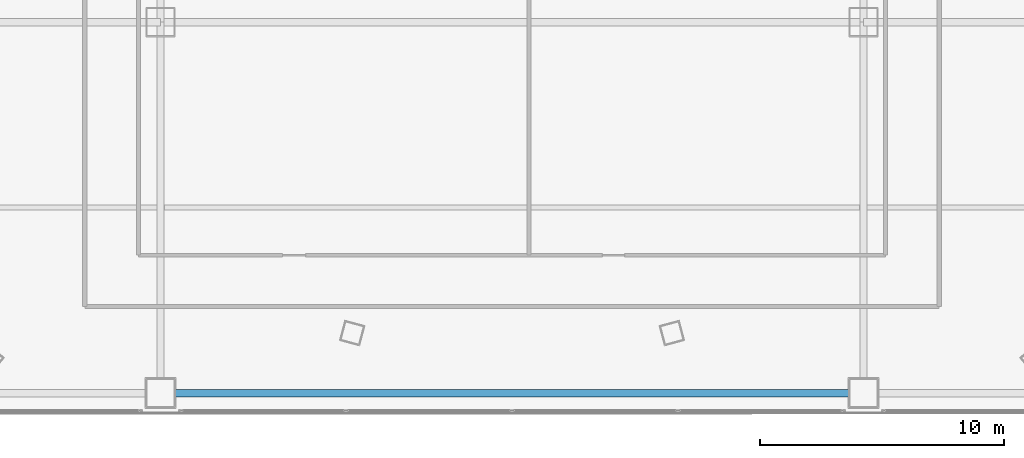
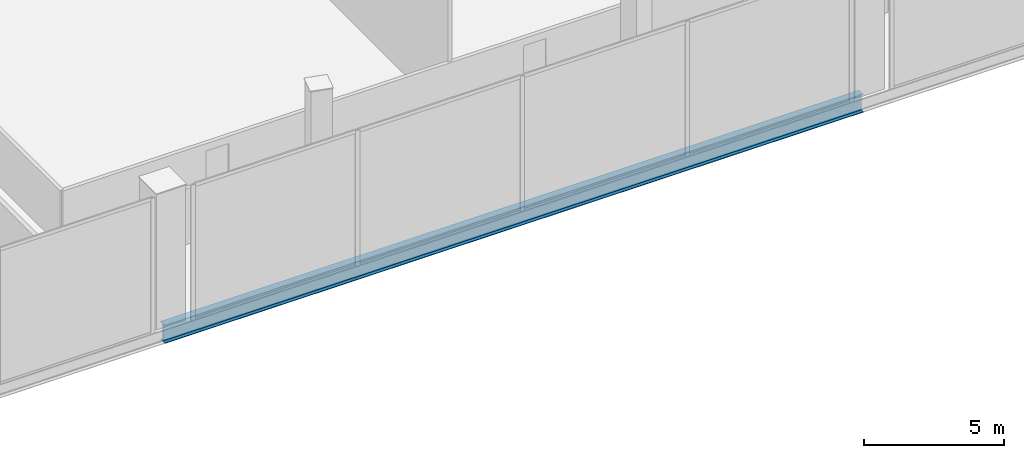
# One storey, part 8 of 41: 1 beam.
"""IFC4 building model written with IfcOpenShell, lengths in metres."""

from ifc_helpers import new_model, si_unit, direction, frame, origin, origin_2d, place, context, subcontext, project, spatial, i_section, extrude, source, transform, mapped, material, material_profile, profile_set, type_object, element, save


model = new_model("IFC4")

# Units and contexts
model_context = context("Model", 3, precision=1e-05, world=origin(), true_north=direction((0.0, 1.0)))
body_context = subcontext(model_context, "Body", "Model", "MODEL_VIEW")
ifc_project = project(units=[si_unit("LENGTHUNIT", "METRE"), si_unit("AREAUNIT", "SQUARE_METRE"), si_unit("VOLUMEUNIT", "CUBIC_METRE"), si_unit("PLANEANGLEUNIT", "RADIAN"), si_unit("MASSUNIT", "GRAM", prefix="KILO"), si_unit("THERMODYNAMICTEMPERATUREUNIT", "KELVIN"), si_unit("POWERUNIT", "WATT")], contexts=[model_context])

# Site, building, storey
site_placement = place(None, origin())
site = spatial("IfcSite", under=ifc_project, at=site_placement, CompositionType="ELEMENT")
building_placement = place(site_placement, origin())
building = spatial("IfcBuilding", under=site, at=building_placement, Name="Yunzhuo Pagoda Commons", CompositionType="ELEMENT")
storey_placement = place(building_placement, frame((0.0, 0.0, 19.199951171875)))
storey = spatial("IfcBuildingStorey", under=building, at=storey_placement, Name="L05", CompositionType="ELEMENT", Elevation=19.199951171875)

# Beam
ifc_material = material(Name="Structural steel Q355B", Category="steel")
ifc_material_profile = material_profile(ifc_material, i_section(OverallWidth=0.300048828125, OverallDepth=0.800048828125, WebThickness=0.013916015625, FlangeThickness=0.02587890625, at=origin_2d()), Name="Structural steel Q355B")
ifc_profile_set = profile_set([ifc_material_profile], Name="Structural steel Q355B")
beam_type = type_object("IfcBeamType", Name="B-PD2 Beam HN 800x300x14x26", PredefinedType="BEAM", material=ifc_profile_set)
shared_shape = source(origin(), body_context, "Body", "SweptSolid", [
    extrude(i_section(OverallWidth=0.300048828125, OverallDepth=0.800048828125, WebThickness=0.013916015625, FlangeThickness=0.02587890625, at=origin_2d()), origin(), (0.0, 0.0, 1.0), 28.7998046875),
])
beam_placement = place(storey_placement, frame((33.60009765625, 6.800048828125, -0.6796875), z_axis=(1.0, 0.0, 0.0), x_axis=(0.0, 1.0, 0.0)))
element("IfcBeam", 1, at=beam_placement, inside=storey, type_object=beam_type, Name="L05 podium girder EW 1.3", PredefinedType="BEAM", context=body_context, shape_type="MappedRepresentation", body=[
    mapped(shared_shape, transform((0.0, 0.0, 0.0), scale=1.0)),
])

save(model, "model.ifc")
